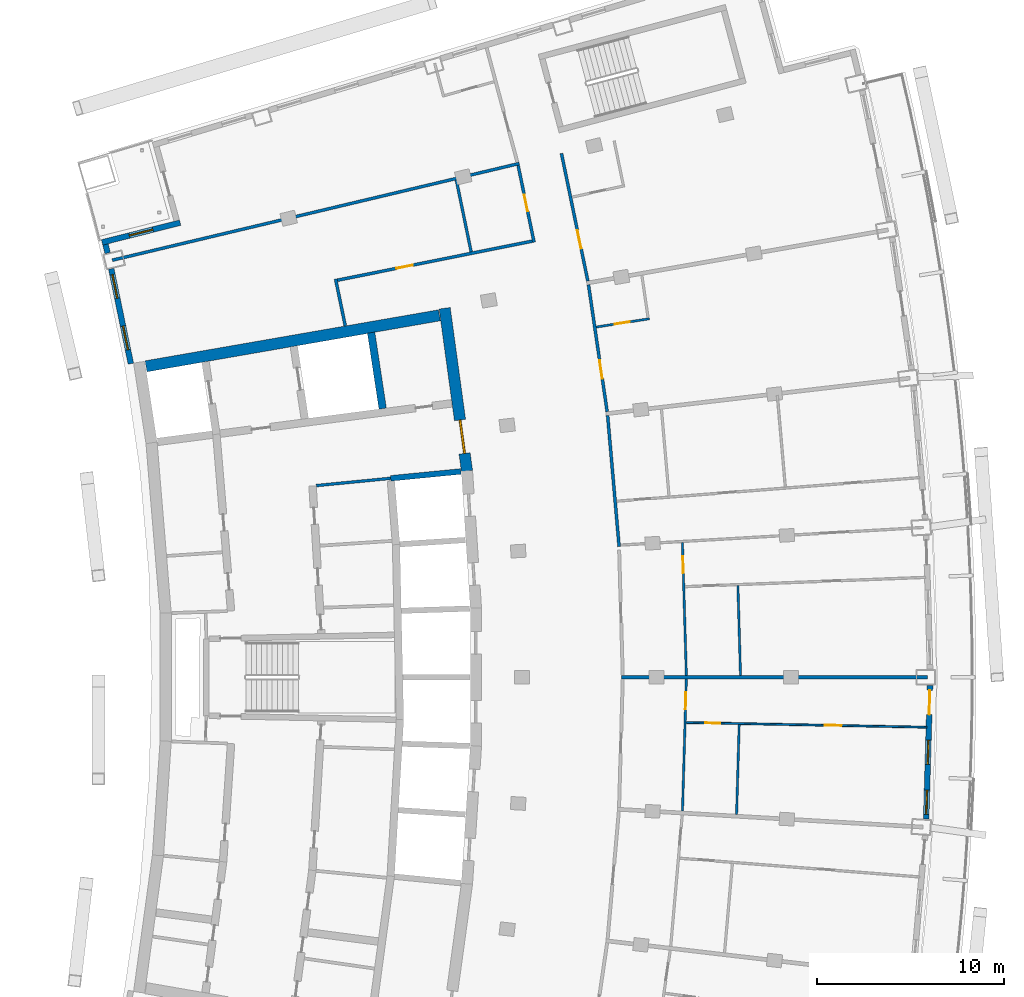
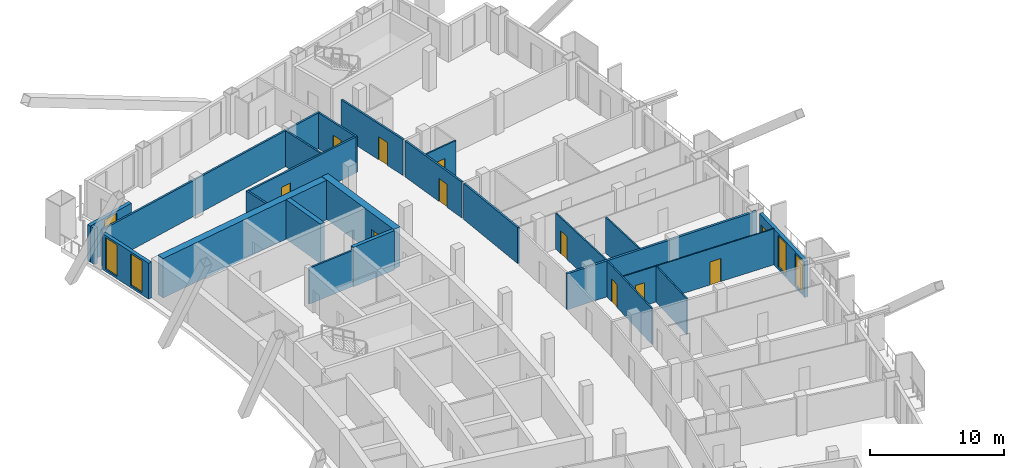
# One storey, part 13 of 19: 24 walls, 11 doors, 5 windows, 16 openings.
"""IFC4 building model written with IfcOpenShell, lengths in metres."""

import ifcopenshell
import ifcopenshell.guid

model = None  # the IFC model being written
_history = None  # IfcOwnerHistory: only IFC2X3 demands one
_inside = {}  # id of a spatial element -> (the spatial element, [elements in it])
_under = {}  # id of a project, library or spatial element -> (it, [spatial elements below it])
_declared = {}  # id of a project -> (the project, [libraries it declares])
_typed = {}  # id of a type object -> (the type object, [elements of that type])
_made_of = {}  # id of a material, layer set ... -> (it, [elements and type objects made of it])


def new_model(schema):
    """Start an empty IFC model of exactly this schema.

    Asked for "IFC4X3", IfcOpenShell would pick the latest addendum, in which some entities
    have other attributes; the version numbers below select the first issue.
    IFC2X3 requires an IfcOwnerHistory on every rooted entity: one is made here for all.
    """
    global model, _history
    if schema == "IFC4X3":
        model = ifcopenshell.file(schema_version=(4, 3, 0, 0))
    else:
        model = ifcopenshell.file(schema=schema)
    _inside.clear()
    _under.clear()
    _declared.clear()
    _typed.clear()
    _made_of.clear()
    _history = None
    if model.schema == "IFC2X3":
        org = make("IfcOrganization", Name="unknown")
        user = make(
            "IfcPersonAndOrganization",
            ThePerson=make("IfcPerson", FamilyName="unknown"),
            TheOrganization=org,
        )
        app = make(
            "IfcApplication",
            ApplicationDeveloper=org,
            Version="unknown",
            ApplicationFullName="unknown",
            ApplicationIdentifier="unknown",
        )
        _history = make(
            "IfcOwnerHistory",
            OwningUser=user,
            OwningApplication=app,
            ChangeAction="ADDED",
            CreationDate=0,
        )
    return model


def make(cls, **values):
    """One entity of the class cls with the attributes given. An attribute that is None is left unset."""
    return model.create_entity(
        cls, **{name: value for name, value in values.items() if value is not None}
    )


def rooted(cls, **values):
    """An entity with a GlobalId (a new one), such as an element, a storey or a relation."""
    return make(cls, GlobalId=ifcopenshell.guid.new(), OwnerHistory=_history, **values)


def si_unit(unit_type, name, prefix=None):
    """IfcSIUnit, for example si_unit("LENGTHUNIT", "METRE", prefix="MILLI")."""
    return make("IfcSIUnit", UnitType=unit_type, Prefix=prefix, Name=name)


def assignment(units):
    """IfcUnitAssignment: the units of a project."""
    return None if units is None else make("IfcUnitAssignment", Units=units)


def point(xyz):
    """IfcCartesianPoint."""
    return None if xyz is None else make("IfcCartesianPoint", Coordinates=xyz)


def direction(xyz):
    """IfcDirection."""
    return None if xyz is None else make("IfcDirection", DirectionRatios=xyz)


def frame(location, z_axis=None, x_axis=None):
    """IfcAxis2Placement3D, a coordinate frame: its origin and axes. An axis left out is left unset."""
    return make(
        "IfcAxis2Placement3D",
        Location=point(location),
        Axis=direction(z_axis),
        RefDirection=direction(x_axis),
    )


def frame_2d(location, x_axis=None):
    """IfcAxis2Placement2D, a coordinate frame in the plane: its origin and x axis."""
    return make(
        "IfcAxis2Placement2D", Location=point(location), RefDirection=direction(x_axis)
    )


def origin():
    """The frame at (0, 0, 0) with its axes left unset."""
    return frame((0.0, 0.0, 0.0))


def place(relative_to, where):
    """IfcLocalPlacement: puts the frame where relative to a parent placement (None: the world)."""
    return make(
        "IfcLocalPlacement", PlacementRelTo=relative_to, RelativePlacement=where
    )


def context(
    kind, dimensions, precision=None, world=None, true_north=None, identifier=None
):
    """IfcGeometricRepresentationContext, for example the 3D "Model" context."""
    return make(
        "IfcGeometricRepresentationContext",
        ContextIdentifier=identifier,
        ContextType=kind,
        CoordinateSpaceDimension=dimensions,
        Precision=precision,
        WorldCoordinateSystem=world,
        TrueNorth=true_north,
    )


def subcontext(parent, identifier, kind, view, scale=None):
    """IfcGeometricRepresentationSubContext, for example "Body" below "Model"."""
    return make(
        "IfcGeometricRepresentationSubContext",
        ContextIdentifier=identifier,
        ContextType=kind,
        ParentContext=parent,
        TargetScale=scale,
        TargetView=view,
    )


def project(units=None, contexts=None):
    """IfcProject with its units and contexts."""
    return rooted(
        "IfcProject",
        Name="project",
        RepresentationContexts=contexts,
        UnitsInContext=assignment(units),
    )


def spatial(cls, under=None, at=None, **own):
    """A site, building, storey or space (cls), placed at a placement, below another one or the project."""
    s = rooted(cls, ObjectPlacement=at, **own)
    if under is not None:
        _under.setdefault(under.id(), (under, []))[1].append(s)
    return s


def profile(cls, at=None, kind="AREA", **sizes):
    """A parametric profile (cls). Its sizes go by their IFC names, for example OverallWidth=200.0."""
    return make(cls, ProfileType=kind, Position=at, **sizes)


def rectangle(**sizes):
    """IfcRectangleProfileDef."""
    return profile("IfcRectangleProfileDef", **sizes)


def extrude(swept, where, along, depth):
    """IfcExtrudedAreaSolid: the profile swept, set in the frame where, extruded along a direction by depth."""
    return make(
        "IfcExtrudedAreaSolid",
        SweptArea=swept,
        Position=where,
        ExtrudedDirection=direction(along),
        Depth=depth,
    )


def shape(context_of_items, identifier, shape_type, items):
    """IfcShapeRepresentation: the items that make up one representation, for example the "Body"."""
    return make(
        "IfcShapeRepresentation",
        ContextOfItems=context_of_items,
        RepresentationIdentifier=identifier,
        RepresentationType=shape_type,
        Items=items,
    )


def material(Name=None, Category=None):
    """IfcMaterial."""
    return make("IfcMaterial", Name=Name, Category=Category)


def layer(
    of_material, thickness, ventilated=None, Name=None, Category=None, Priority=None
):
    """IfcMaterialLayer: one layer of a wall or slab, of a material (None: an air gap)."""
    return make(
        "IfcMaterialLayer",
        Material=of_material,
        LayerThickness=thickness,
        IsVentilated=ventilated,
        Name=Name,
        Category=Category,
        Priority=Priority,
    )


def layer_set(layers, Name=None):
    """IfcMaterialLayerSet."""
    return make("IfcMaterialLayerSet", MaterialLayers=layers, LayerSetName=Name)


def made_of(thing, what):
    """Note that an element or type object is made of a material, layer set ...; save() writes the relation."""
    if what is not None:
        _made_of.setdefault(what.id(), (what, []))[1].append(thing)
    return thing


def type_object(cls, material=None, **own):
    """A type object (cls), such as IfcWallType, which elements share."""
    return made_of(rooted(cls, **own), material)


def element(
    cls,
    number,
    at=None,
    inside=None,
    cuts=None,
    type_object=None,
    material=None,
    context=None,
    identifier="Body",
    shape_type=None,
    held_by="IfcProductDefinitionShape",
    body=None,
    shapes=None,
    **own,
):
    """One element of the class cls, such as IfcWall. Its Tag is "e" and its number.

    at: its placement. inside: the storey or other place that contains it. cuts: it is an
    opening in that element (IfcRelVoidsElement). A single representation is given by context,
    identifier, shape_type and body (its items); several are given by shapes. held_by: the class
    of the entity that holds the representations. save() writes the other relations.
    """
    e = rooted(cls, Tag="e%d" % number, ObjectPlacement=at, **own)
    if body is not None:
        shapes = [shape(context, identifier, shape_type, body)]
    if shapes is not None:
        e.Representation = make(held_by, Representations=shapes)
    if inside is not None:
        _inside.setdefault(inside.id(), (inside, []))[1].append(e)
    if cuts is not None:
        rooted(
            "IfcRelVoidsElement", RelatingBuildingElement=cuts, RelatedOpeningElement=e
        )
    if type_object is not None:
        _typed.setdefault(type_object.id(), (type_object, []))[1].append(e)
    return made_of(e, material)


def fill(opening, filler):
    """IfcRelFillsElement: the door or window that sits in an opening."""
    return rooted(
        "IfcRelFillsElement",
        RelatingOpeningElement=opening,
        RelatedBuildingElement=filler,
    )


def aggregate(whole, parts):
    """IfcRelAggregates: a whole, such as a stair, and the parts it consists of."""
    return rooted("IfcRelAggregates", RelatingObject=whole, RelatedObjects=parts)


def save(model, path):
    """Write the relations noted so far, then the file.

    IfcRelAggregates (storeys below a building ...), IfcRelContainedInSpatialStructure (elements
    in a storey), IfcRelDefinesByType, IfcRelAssociatesMaterial and IfcRelDeclares: one each for
    every whole, place, type object, material and project.
    """
    for whole, parts in _under.values():
        aggregate(whole, parts)
    for where, things in _inside.values():
        rooted(
            "IfcRelContainedInSpatialStructure",
            RelatedElements=things,
            RelatingStructure=where,
        )
    for kind, things in _typed.values():
        rooted("IfcRelDefinesByType", RelatedObjects=things, RelatingType=kind)
    for what, things in _made_of.values():
        rooted("IfcRelAssociatesMaterial", RelatedObjects=things, RelatingMaterial=what)
    for by, libraries in _declared.values():
        rooted("IfcRelDeclares", RelatingContext=by, RelatedDefinitions=libraries)
    model.write(path)


model = new_model("IFC4")

# Units and contexts
model_context = context("Model", 3, precision=1e-05, world=origin(), true_north=direction((0.0, 1.0)))
body_context = subcontext(model_context, "Body", "Model", "MODEL_VIEW")
ifc_project = project(units=[si_unit("LENGTHUNIT", "METRE"), si_unit("AREAUNIT", "SQUARE_METRE"), si_unit("VOLUMEUNIT", "CUBIC_METRE"), si_unit("PLANEANGLEUNIT", "RADIAN"), si_unit("MASSUNIT", "GRAM", prefix="KILO")], contexts=[model_context])

# Site, building, storey
site_placement = place(None, origin())
site = spatial("IfcSite", under=ifc_project, at=site_placement, CompositionType="ELEMENT")
building_placement = place(site_placement, origin())
building = spatial("IfcBuilding", under=site, at=building_placement, Name="Alderwake Tower", CompositionType="ELEMENT")
storey_placement = place(building_placement, frame((0.0, 0.0, 221.60009765625)))
storey = spatial("IfcBuildingStorey", under=building, at=storey_placement, Name="L55", CompositionType="ELEMENT", Elevation=221.60009765625)

# Wall
ifc_material_1 = material(Name="Gypsum shaft wall system, rated")
ifc_layer_1 = layer(ifc_material_1, 0.14990234375)
ifc_layer_set_1 = layer_set([ifc_layer_1], Name="Core room partition 150")
wall_type_1 = type_object("IfcWallType", Name="Core room partition 150", PredefinedType="PARTITIONING", material=ifc_layer_set_1)
wall_1_placement = place(storey_placement, frame((24.799560546875, 71.2548828125, 0.0), z_axis=(0.0, 0.0, 1.0), x_axis=(0.995250000627, 0.097352125046, 0.0)))
element("IfcWall", 1, at=wall_1_placement, inside=storey, type_object=wall_type_1, Name="CW/L55/PR+102_+86", PredefinedType="PARTITIONING", context=body_context, shape_type="SweptSolid", body=[
    extrude(rectangle(XDim=4.0, YDim=0.14990234375, at=frame_2d((2.0, 0.0))), origin(), (0.0, 0.0, 1.0), 3.27978515625),
])

# Wall, opening, door
ifc_material_2 = material(Name="Concrete C70/85", Category="concrete")
ifc_layer_2 = layer(ifc_material_2, 0.60009765625)
ifc_layer_set_2 = layer_set([ifc_layer_2], Name="Core wall outer 600 C70-85")
wall_type_2 = type_object("IfcWallType", Name="Core wall outer 600 C70-85", PredefinedType="SHEAR", material=ifc_layer_set_2)
wall_2_placement = place(storey_placement, frame((31.66796875, 80.743896484375, 0.0), z_axis=(0.0, 0.0, 1.0), x_axis=(0.135856583698, -0.990728514108, 0.0)))
wall_2 = element("IfcWall", 2, at=wall_2_placement, inside=storey, type_object=wall_type_2, Name="Core wall CW.014", PredefinedType="SHEAR", context=body_context, shape_type="SweptSolid", body=[
    extrude(rectangle(XDim=8.79296875, YDim=0.60009765625, at=frame_2d((4.396484375, 0.0))), origin(), (0.0, 0.0, 1.0), 3.599853515625),
])
opening_1_placement = place(wall_2_placement, frame((6.038818359375, 0.0, 0.0)))
opening_1 = element("IfcOpeningElement", 3, at=opening_1_placement, cuts=wall_2, Name="Opening C001", PredefinedType="OPENING", context=body_context, shape_type="SweptSolid", body=[
    extrude(rectangle(XDim=1.800048828125, YDim=2.10009765625, at=frame_2d((0.89990234375, 1.050048828125))), frame((0.0, 0.31005859375, 0.0), z_axis=(0.0, -1.0, 0.0), x_axis=(1.0, 0.0, 0.0)), (0.0, 0.0, 1.0), 0.6201171875),
])
ifc_material_3 = material(Name="Steel-framed fire door leaves", Category="steel")
door_type_1 = type_object("IfcDoorType", Name="Core double door 1800 fire-rated", OperationType="DOUBLE_DOOR_SINGLE_SWING", PredefinedType="DOOR", material=ifc_material_3)
door_1_placement = place(opening_1_placement, origin())
door_1 = element("IfcDoor", 4, at=door_1_placement, inside=storey, type_object=door_type_1, Name="Lobby double door", OperationType="DOUBLE_DOOR_SINGLE_SWING", OverallHeight=2.10009765625, OverallWidth=1.800048828125, PredefinedType="DOOR", context=body_context, shape_type="SweptSolid", body=[
    extrude(rectangle(XDim=1.800048828125, YDim=2.10009765625, at=frame_2d((0.89990234375, 1.050048828125))), frame((0.0, 0.050048828125, 0.0), z_axis=(0.0, -1.0, 0.0), x_axis=(1.0, 0.0, 0.0)), (0.0, 0.0, 1.0), 0.10009765625),
])
fill(opening_1, door_1)

# Walls
wall_3_placement = place(storey_placement, frame((15.68896484375, 77.6357421875, 0.0), z_axis=(0.0, 0.0, 1.0), x_axis=(0.985223223422, 0.17127521721, 0.0)))
element("IfcWall", 5, at=wall_3_placement, inside=storey, type_object=wall_type_2, Name="Core wall CW.055", PredefinedType="SHEAR", context=body_context, shape_type="SweptSolid", body=[
    extrude(rectangle(XDim=15.933349609375, YDim=0.60009765625, at=frame_2d((7.966796875, 0.0))), origin(), (0.0, 0.0, 1.0), 3.599853515625),
])
ifc_material_4 = material(Name="Concrete C70/85", Category="concrete")
ifc_layer_3 = layer(ifc_material_4, 0.300048828125)
ifc_layer_set_3 = layer_set([ifc_layer_3], Name="Core wall shaft 300 C70-85")
wall_type_3 = type_object("IfcWallType", Name="Core wall shaft 300 C70-85", PredefinedType="SHEAR", material=ifc_layer_set_3)
wall_4_placement = place(storey_placement, frame((28.780517578125, 71.644287109375, 0.0), z_axis=(0.0, 0.0, 1.0), x_axis=(0.995245280185, 0.097400370992, 0.0)))
element("IfcWall", 6, at=wall_4_placement, inside=storey, type_object=wall_type_3, Name="Core wall CW.049", PredefinedType="SHEAR", context=body_context, shape_type="SweptSolid", body=[
    extrude(rectangle(XDim=3.769775390625, YDim=0.300048828125, at=frame_2d((1.884765625, 0.0))), origin(), (0.0, 0.0, 1.0), 3.599853515625),
])
ifc_material_5 = material(Name="Concrete C70/85", Category="concrete")
ifc_layer_4 = layer(ifc_material_5, 0.39990234375)
ifc_layer_set_4 = layer_set([ifc_layer_4], Name="Core wall spine 400 C70-85")
wall_type_4 = type_object("IfcWallType", Name="Core wall spine 400 C70-85", PredefinedType="SHEAR", material=ifc_layer_set_4)
wall_5_placement = place(storey_placement, frame((28.350830078125, 75.373291015625, 0.0), z_axis=(0.0, 0.0, 1.0), x_axis=(-0.150143035921, 0.988664285167, 0.0)))
element("IfcWall", 7, at=wall_5_placement, inside=storey, type_object=wall_type_4, Name="Core wall CW.001", PredefinedType="SHEAR", context=body_context, shape_type="SweptSolid", body=[
    extrude(rectangle(XDim=4.1123046875, YDim=0.39990234375, at=frame_2d((2.05615234375, 0.0))), origin(), (0.0, 0.0, 1.0), 3.599853515625),
])
ifc_material_6 = material(Name="Gypsum board on metal studs, rated")
ifc_layer_5 = layer(ifc_material_6, 0.159912109375)
ifc_layer_set_5 = layer_set([ifc_layer_5], Name="Corridor wall 160")
wall_type_5 = type_object("IfcWallType", Name="Corridor wall 160", PredefinedType="PARTITIONING", material=ifc_layer_set_5)
wall_6_placement = place(storey_placement, frame((13.884033203125, 83.31298828125, 0.0), z_axis=(0.0, 0.0, 1.0), x_axis=(0.972893462073, 0.231253781493, 0.0)))
element("IfcWall", 8, at=wall_6_placement, inside=storey, type_object=wall_type_5, Name="WL/L55/W11", PredefinedType="PARTITIONING", context=body_context, shape_type="SweptSolid", body=[
    extrude(rectangle(XDim=22.38037109375, YDim=0.159912109375, at=frame_2d((11.190185546875, 0.0))), origin(), (0.0, 0.0, 1.0), 3.27978515625),
])
wall_7_placement = place(storey_placement, frame((25.831787109375, 82.305419921875, 0.0), z_axis=(0.0, 0.0, 1.0), x_axis=(0.202450797205, -0.979292435747, 0.0)))
element("IfcWall", 9, at=wall_7_placement, inside=storey, type_object=wall_type_5, Name="WL/L55/W14", PredefinedType="PARTITIONING", context=body_context, shape_type="SweptSolid", body=[
    extrude(rectangle(XDim=2.555419921875, YDim=0.159912109375, at=frame_2d((1.27783203125, 0.0))), origin(), (0.0, 0.0, 1.0), 3.27978515625),
])

# Wall, opening, door
wall_8_placement = place(storey_placement, frame((36.451416015625, 84.272705078125, 0.0), z_axis=(0.0, 0.0, 1.0), x_axis=(-0.20329833965, 0.979116839348, 0.0)))
wall_8 = element("IfcWall", 10, at=wall_8_placement, inside=storey, type_object=wall_type_5, Name="WL/L55/W19", PredefinedType="PARTITIONING", context=body_context, shape_type="SweptSolid", body=[
    extrude(rectangle(XDim=4.206787109375, YDim=0.159912109375, at=frame_2d((2.103515625, 0.0))), origin(), (0.0, 0.0, 1.0), 3.27978515625),
])
opening_2_placement = place(wall_8_placement, frame((1.69287109375, 0.0, 0.0)))
opening_2 = element("IfcOpeningElement", 11, at=opening_2_placement, cuts=wall_8, Name="Opening R16-SBN2", PredefinedType="OPENING", context=body_context, shape_type="SweptSolid", body=[
    extrude(rectangle(XDim=0.89990234375, YDim=2.10009765625, at=frame_2d((0.449951171875, 1.050048828125))), frame((0.0, 0.08984375, 0.0), z_axis=(0.0, -1.0, 0.0), x_axis=(1.0, 0.0, 0.0)), (0.0, 0.0, 1.0), 0.179931640625),
])
ifc_material_7 = material(Name="Painted timber leaf", Category="wood")
door_type_2 = type_object("IfcDoorType", Name="Room door 900", OperationType="SINGLE_SWING_LEFT", PredefinedType="DOOR", material=ifc_material_7)
door_2_placement = place(opening_2_placement, origin())
door_2 = element("IfcDoor", 12, at=door_2_placement, inside=storey, type_object=door_type_2, Name="DR/L55/SBN2", OperationType="SINGLE_SWING_LEFT", OverallHeight=2.10009765625, OverallWidth=0.89990234375, PredefinedType="DOOR", context=body_context, shape_type="SweptSolid", body=[
    extrude(rectangle(XDim=0.89990234375, YDim=2.10009765625, at=frame_2d((0.449951171875, 1.050048828125))), frame((0.0, 0.02490234375, 0.0), z_axis=(0.0, -1.0, 0.0), x_axis=(1.0, 0.0, 0.0)), (0.0, 0.0, 1.0), 0.050048828125),
])
fill(opening_2, door_2)

wall_9_placement = place(storey_placement, frame((25.926513671875, 82.24267578125, 0.0), z_axis=(0.0, 0.0, 1.0), x_axis=(0.98046310274, 0.196703086316, 0.0)))
wall_9 = element("IfcWall", 13, at=wall_9_placement, inside=storey, type_object=wall_type_5, Name="WL/L55/W21", PredefinedType="PARTITIONING", context=body_context, shape_type="SweptSolid", body=[
    extrude(rectangle(XDim=10.637939453125, YDim=0.159912109375, at=frame_2d((5.31884765625, 0.0))), origin(), (0.0, 0.0, 1.0), 3.27978515625),
])
opening_3_placement = place(wall_9_placement, frame((3.208984375, 0.0, 0.0)))
opening_3 = element("IfcOpeningElement", 14, at=opening_3_placement, cuts=wall_9, Name="Opening R16-SBN1", PredefinedType="OPENING", context=body_context, shape_type="SweptSolid", body=[
    extrude(rectangle(XDim=0.89990234375, YDim=2.10009765625, at=frame_2d((0.449951171875, 1.050048828125))), frame((0.0, 0.08984375, 0.0), z_axis=(0.0, -1.0, 0.0), x_axis=(1.0, 0.0, 0.0)), (0.0, 0.0, 1.0), 0.179931640625),
])
door_3_placement = place(opening_3_placement, origin())
door_3 = element("IfcDoor", 15, at=door_3_placement, inside=storey, type_object=door_type_2, Name="DR/L55/SBN1", OperationType="SINGLE_SWING_LEFT", OverallHeight=2.10009765625, OverallWidth=0.89990234375, PredefinedType="DOOR", context=body_context, shape_type="SweptSolid", body=[
    extrude(rectangle(XDim=0.89990234375, YDim=2.10009765625, at=frame_2d((0.449951171875, 1.050048828125))), frame((0.0, 0.02490234375, 0.0), z_axis=(0.0, -1.0, 0.0), x_axis=(1.0, 0.0, 0.0)), (0.0, 0.0, 1.0), 0.050048828125),
])
fill(opening_3, door_3)

wall_10_placement = place(storey_placement, frame((37.9169921875, 89.02490234375, 0.0), z_axis=(0.0, 0.0, 1.0), x_axis=(0.202416809878, -0.97929946139, 0.0)))
wall_10 = element("IfcWall", 16, at=wall_10_placement, inside=storey, type_object=wall_type_5, Name="WL/L55/W24", PredefinedType="PARTITIONING", context=body_context, shape_type="SweptSolid", body=[
    extrude(rectangle(XDim=6.97021484375, YDim=0.159912109375, at=frame_2d((3.485107421875, 0.0))), origin(), (0.0, 0.0, 1.0), 3.27978515625),
])
opening_4_placement = place(wall_10_placement, frame((4.187255859375, 0.0, 0.0)))
opening_4 = element("IfcOpeningElement", 17, at=opening_4_placement, cuts=wall_10, Name="Opening R16-U08.1", PredefinedType="OPENING", context=body_context, shape_type="SweptSolid", body=[
    extrude(rectangle(XDim=1.0, YDim=2.10009765625, at=frame_2d((0.5, 1.050048828125))), frame((0.0, 0.08984375, 0.0), z_axis=(0.0, -1.0, 0.0), x_axis=(1.0, 0.0, 0.0)), (0.0, 0.0, 1.0), 0.179931640625),
])
ifc_material_8 = material(Name="Solid timber leaf in steel frame", Category="steel")
door_type_3 = type_object("IfcDoorType", Name="Flat entrance door 1000 fire-rated", OperationType="SINGLE_SWING_LEFT", PredefinedType="DOOR", material=ifc_material_8)
door_4_placement = place(opening_4_placement, origin())
door_4 = element("IfcDoor", 18, at=door_4_placement, inside=storey, type_object=door_type_3, Name="DR/L55/U08.1", OperationType="SINGLE_SWING_LEFT", OverallHeight=2.10009765625, OverallWidth=1.0, PredefinedType="DOOR", context=body_context, shape_type="SweptSolid", body=[
    extrude(rectangle(XDim=1.0, YDim=2.10009765625, at=frame_2d((0.5, 1.050048828125))), frame((0.0, 0.02490234375, 0.0), z_axis=(0.0, -1.0, 0.0), x_axis=(1.0, 0.0, 0.0)), (0.0, 0.0, 1.0), 0.050048828125),
])
fill(opening_4, door_4)

wall_11_placement = place(storey_placement, frame((39.362548828125, 82.001953125, 0.0), z_axis=(0.0, 0.0, 1.0), x_axis=(0.145565626222, -0.98934859805, 0.0)))
wall_11 = element("IfcWall", 19, at=wall_11_placement, inside=storey, type_object=wall_type_5, Name="WL/L55/W26", PredefinedType="PARTITIONING", context=body_context, shape_type="SweptSolid", body=[
    extrude(rectangle(XDim=6.8681640625, YDim=0.159912109375, at=frame_2d((3.43408203125, 0.0))), origin(), (0.0, 0.0, 1.0), 3.27978515625),
])
opening_5_placement = place(wall_11_placement, frame((4.08544921875, 0.0, 0.0)))
opening_5 = element("IfcOpeningElement", 20, at=opening_5_placement, cuts=wall_11, Name="Opening R16-U07.1", PredefinedType="OPENING", context=body_context, shape_type="SweptSolid", body=[
    extrude(rectangle(XDim=1.0, YDim=2.10009765625, at=frame_2d((0.5, 1.050048828125))), frame((0.0, 0.08984375, 0.0), z_axis=(0.0, -1.0, 0.0), x_axis=(1.0, 0.0, 0.0)), (0.0, 0.0, 1.0), 0.179931640625),
])
door_5_placement = place(opening_5_placement, origin())
door_5 = element("IfcDoor", 21, at=door_5_placement, inside=storey, type_object=door_type_3, Name="DR/L55/U07.1", OperationType="SINGLE_SWING_LEFT", OverallHeight=2.10009765625, OverallWidth=1.0, PredefinedType="DOOR", context=body_context, shape_type="SweptSolid", body=[
    extrude(rectangle(XDim=1.0, YDim=2.10009765625, at=frame_2d((0.5, 1.050048828125))), frame((0.0, 0.02490234375, 0.0), z_axis=(0.0, -1.0, 0.0), x_axis=(1.0, 0.0, 0.0)), (0.0, 0.0, 1.0), 0.050048828125),
])
fill(opening_5, door_5)

# Wall
wall_12_placement = place(storey_placement, frame((41.001953125, 67.9873046875, 0.0), z_axis=(0.0, 0.0, 1.0), x_axis=(-0.087430787456, 0.996170596537, 0.0)))
element("IfcWall", 22, at=wall_12_placement, inside=storey, type_object=wall_type_5, Name="WL/L55/W28", PredefinedType="PARTITIONING", context=body_context, shape_type="SweptSolid", body=[
    extrude(rectangle(XDim=7.048095703125, YDim=0.159912109375, at=frame_2d((3.52392578125, 0.0))), origin(), (0.0, 0.0, 1.0), 3.27978515625),
])

# Wall, openings, door, windows
ifc_material_9 = material(Name="Precast concrete C50/60 spandrel panel", Category="concrete")
ifc_layer_6 = layer(ifc_material_9, 0.300048828125)
ifc_layer_set_6 = layer_set([ifc_layer_6], Name="External wall EW1 Precast concrete C50/60 spandrel")
wall_type_6 = type_object("IfcWallType", Name="External wall EW1 Precast concrete C50/60 spandrel", PredefinedType="SOLIDWALL", material=ifc_layer_set_6)
wall_13_placement = place(storey_placement, frame((57.428955078125, 53.422119140625, 0.0), z_axis=(0.0, 0.0, 1.0), x_axis=(0.029158685433, 0.999574795132, 0.0)))
wall_13 = element("IfcWall", 23, at=wall_13_placement, inside=storey, type_object=wall_type_6, Name="External wall 15", PredefinedType="SOLIDWALL", context=body_context, shape_type="SweptSolid", body=[
    extrude(rectangle(XDim=7.133544921875, YDim=0.300048828125, at=frame_2d((3.56689453125, 0.0))), origin(), (0.0, 0.0, 1.0), 3.27978515625),
])
opening_6_placement = place(wall_13_placement, frame((0.24560546875, 0.0, 0.199951171875)))
opening_6 = element("IfcOpeningElement", 24, at=opening_6_placement, cuts=wall_13, Name="Opening W1", PredefinedType="OPENING", context=body_context, shape_type="SweptSolid", body=[
    extrude(rectangle(XDim=1.300048828125, YDim=2.89990234375, at=frame_2d((0.64990234375, 1.449951171875))), frame((0.0, 0.159912109375, 0.0), z_axis=(0.0, -1.0, 0.0), x_axis=(1.0, 0.0, 0.0)), (0.0, 0.0, 1.0), 0.320068359375),
])
opening_7_placement = place(wall_13_placement, frame((2.916748046875, 0.0, 0.199951171875)))
opening_7 = element("IfcOpeningElement", 25, at=opening_7_placement, cuts=wall_13, Name="Opening W1", PredefinedType="OPENING", context=body_context, shape_type="SweptSolid", body=[
    extrude(rectangle(XDim=1.300048828125, YDim=2.89990234375, at=frame_2d((0.64990234375, 1.449951171875))), frame((0.0, 0.159912109375, 0.0), z_axis=(0.0, -1.0, 0.0), x_axis=(1.0, 0.0, 0.0)), (0.0, 0.0, 1.0), 0.320068359375),
])
opening_8_placement = place(wall_13_placement, frame((5.588134765625, 0.0, 0.0)))
opening_8 = element("IfcOpeningElement", 26, at=opening_8_placement, cuts=wall_13, Name="Opening D04", PredefinedType="OPENING", context=body_context, shape_type="SweptSolid", body=[
    extrude(rectangle(XDim=1.300048828125, YDim=2.39990234375, at=frame_2d((0.64990234375, 1.199951171875))), frame((0.0, 0.159912109375, 0.0), z_axis=(0.0, -1.0, 0.0), x_axis=(1.0, 0.0, 0.0)), (0.0, 0.0, 1.0), 0.320068359375),
])
ifc_material_10 = material(Name="Bronze tinted glass in aluminium frame", Category="aluminium")
door_type_4 = type_object("IfcDoorType", Name="Balcony door BD sliding", OperationType="SLIDING_TO_LEFT", PredefinedType="DOOR", material=ifc_material_10)
door_6_placement = place(opening_8_placement, origin())
door_6 = element("IfcDoor", 27, at=door_6_placement, inside=storey, type_object=door_type_4, Name="Door D04", OperationType="SLIDING_TO_LEFT", OverallHeight=2.39990234375, OverallWidth=1.300048828125, PredefinedType="DOOR", context=body_context, shape_type="SweptSolid", body=[
    extrude(rectangle(XDim=1.300048828125, YDim=2.39990234375, at=frame_2d((0.64990234375, 1.199951171875))), frame((0.0, 0.02490234375, 0.0), z_axis=(0.0, -1.0, 0.0), x_axis=(1.0, 0.0, 0.0)), (0.0, 0.0, 1.0), 0.050048828125),
])
fill(opening_8, door_6)
ifc_material_11 = material(Name="Bronze tinted glass in aluminium frame", Category="aluminium")
window_type = type_object("IfcWindowType", Name="Window W1 tall fixed and vent", PartitioningType="DOUBLE_PANEL_VERTICAL", PredefinedType="WINDOW", material=ifc_material_11)
window_1_placement = place(opening_6_placement, origin())
window_1 = element("IfcWindow", 28, at=window_1_placement, inside=storey, type_object=window_type, Name="Window W1 tall fixed and vent", OverallHeight=2.89990234375, OverallWidth=1.300048828125, PartitioningType="DOUBLE_PANEL_VERTICAL", PredefinedType="WINDOW", context=body_context, shape_type="SweptSolid", body=[
    extrude(rectangle(XDim=1.300048828125, YDim=2.89990234375, at=frame_2d((0.64990234375, 1.449951171875))), frame((0.0, 0.030029296875, 0.0), z_axis=(0.0, -1.0, 0.0), x_axis=(1.0, 0.0, 0.0)), (0.0, 0.0, 1.0), 0.06005859375),
])
fill(opening_6, window_1)
window_2_placement = place(opening_7_placement, origin())
window_2 = element("IfcWindow", 29, at=window_2_placement, inside=storey, type_object=window_type, Name="Window W1 tall fixed and vent", OverallHeight=2.89990234375, OverallWidth=1.300048828125, PartitioningType="DOUBLE_PANEL_VERTICAL", PredefinedType="WINDOW", context=body_context, shape_type="SweptSolid", body=[
    extrude(rectangle(XDim=1.300048828125, YDim=2.89990234375, at=frame_2d((0.64990234375, 1.449951171875))), frame((0.0, 0.030029296875, 0.0), z_axis=(0.0, -1.0, 0.0), x_axis=(1.0, 0.0, 0.0)), (0.0, 0.0, 1.0), 0.06005859375),
])
fill(opening_7, window_2)

# Wall
wall_14_placement = place(storey_placement, frame((13.523193359375, 84.1572265625, 0.0), z_axis=(0.0, 0.0, 1.0), x_axis=(0.238448700846, -0.971155094238, 0.0)))
element("IfcWall", 30, at=wall_14_placement, inside=storey, type_object=wall_type_6, Name="External wall 30", PredefinedType="SOLIDWALL", context=body_context, shape_type="SweptSolid", body=[
    extrude(rectangle(XDim=0.47802734375, YDim=0.300048828125, at=frame_2d((0.239013671875, 0.0))), origin(), (0.0, 0.0, 1.0), 3.27978515625),
])

# Wall, openings, windows
wall_15_placement = place(storey_placement, frame((13.826904296875, 82.8544921875, 0.0), z_axis=(0.0, 0.0, 1.0), x_axis=(0.202730149235, -0.979234643276, 0.0)))
wall_15 = element("IfcWall", 31, at=wall_15_placement, inside=storey, type_object=wall_type_6, Name="External wall 31", PredefinedType="SOLIDWALL", context=body_context, shape_type="SweptSolid", body=[
    extrude(rectangle(XDim=5.185546875, YDim=0.300048828125, at=frame_2d((2.5927734375, 0.0))), origin(), (0.0, 0.0, 1.0), 3.27978515625),
])
opening_9_placement = place(wall_15_placement, frame((0.316162109375, 0.0, 0.199951171875)))
opening_9 = element("IfcOpeningElement", 32, at=opening_9_placement, cuts=wall_15, Name="Opening W1", PredefinedType="OPENING", context=body_context, shape_type="SweptSolid", body=[
    extrude(rectangle(XDim=1.300048828125, YDim=2.89990234375, at=frame_2d((0.64990234375, 1.449951171875))), frame((0.0, 0.159912109375, 0.0), z_axis=(0.0, -1.0, 0.0), x_axis=(1.0, 0.0, 0.0)), (0.0, 0.0, 1.0), 0.320068359375),
])
opening_10_placement = place(wall_15_placement, frame((3.12890625, 0.0, 0.199951171875)))
opening_10 = element("IfcOpeningElement", 33, at=opening_10_placement, cuts=wall_15, Name="Opening W1", PredefinedType="OPENING", context=body_context, shape_type="SweptSolid", body=[
    extrude(rectangle(XDim=1.300048828125, YDim=2.89990234375, at=frame_2d((0.64990234375, 1.449951171875))), frame((0.0, 0.159912109375, 0.0), z_axis=(0.0, -1.0, 0.0), x_axis=(1.0, 0.0, 0.0)), (0.0, 0.0, 1.0), 0.320068359375),
])
window_3_placement = place(opening_9_placement, origin())
window_3 = element("IfcWindow", 34, at=window_3_placement, inside=storey, type_object=window_type, Name="Window W1 tall fixed and vent", OverallHeight=2.89990234375, OverallWidth=1.300048828125, PartitioningType="DOUBLE_PANEL_VERTICAL", PredefinedType="WINDOW", context=body_context, shape_type="SweptSolid", body=[
    extrude(rectangle(XDim=1.300048828125, YDim=2.89990234375, at=frame_2d((0.64990234375, 1.449951171875))), frame((0.0, 0.030029296875, 0.0), z_axis=(0.0, -1.0, 0.0), x_axis=(1.0, 0.0, 0.0)), (0.0, 0.0, 1.0), 0.06005859375),
])
fill(opening_9, window_3)
window_4_placement = place(opening_10_placement, origin())
window_4 = element("IfcWindow", 35, at=window_4_placement, inside=storey, type_object=window_type, Name="Window W1 tall fixed and vent", OverallHeight=2.89990234375, OverallWidth=1.300048828125, PartitioningType="DOUBLE_PANEL_VERTICAL", PredefinedType="WINDOW", context=body_context, shape_type="SweptSolid", body=[
    extrude(rectangle(XDim=1.300048828125, YDim=2.89990234375, at=frame_2d((0.64990234375, 1.449951171875))), frame((0.0, 0.030029296875, 0.0), z_axis=(0.0, -1.0, 0.0), x_axis=(1.0, 0.0, 0.0)), (0.0, 0.0, 1.0), 0.06005859375),
])
fill(opening_10, window_4)

# Wall, opening, window
ifc_material_12 = material(Name="Bronze metal cladding on lightweight framing")
ifc_layer_7 = layer(ifc_material_12, 0.300048828125)
ifc_layer_set_7 = layer_set([ifc_layer_7], Name="External wall EW2 bronze metal cladding")
wall_type_7 = type_object("IfcWallType", Name="External wall EW2 bronze metal cladding", PredefinedType="SOLIDWALL", material=ifc_layer_set_7)
wall_16_placement = place(storey_placement, frame((17.51611328125, 85.32275390625, 0.0), z_axis=(0.0, 0.0, 1.0), x_axis=(-0.969417740682, -0.245416470617, 0.0)))
wall_16 = element("IfcWall", 36, at=wall_16_placement, inside=storey, type_object=wall_type_7, Name="External wall 29", PredefinedType="SOLIDWALL", context=body_context, shape_type="SweptSolid", body=[
    extrude(rectangle(XDim=4.305419921875, YDim=0.300048828125, at=frame_2d((2.15283203125, 0.0))), origin(), (0.0, 0.0, 1.0), 3.27978515625),
])
opening_11_placement = place(wall_16_placement, frame((1.502685546875, 0.0, 0.199951171875)))
opening_11 = element("IfcOpeningElement", 37, at=opening_11_placement, cuts=wall_16, Name="Opening W1", PredefinedType="OPENING", context=body_context, shape_type="SweptSolid", body=[
    extrude(rectangle(XDim=1.300048828125, YDim=2.89990234375, at=frame_2d((0.64990234375, 1.449951171875))), frame((0.0, 0.159912109375, 0.0), z_axis=(0.0, -1.0, 0.0), x_axis=(1.0, 0.0, 0.0)), (0.0, 0.0, 1.0), 0.320068359375),
])
window_5_placement = place(opening_11_placement, origin())
window_5 = element("IfcWindow", 38, at=window_5_placement, inside=storey, type_object=window_type, Name="Window W1 tall fixed and vent", OverallHeight=2.89990234375, OverallWidth=1.300048828125, PartitioningType="DOUBLE_PANEL_VERTICAL", PredefinedType="WINDOW", context=body_context, shape_type="SweptSolid", body=[
    extrude(rectangle(XDim=1.300048828125, YDim=2.89990234375, at=frame_2d((0.64990234375, 1.449951171875))), frame((0.0, 0.030029296875, 0.0), z_axis=(0.0, -1.0, 0.0), x_axis=(1.0, 0.0, 0.0)), (0.0, 0.0, 1.0), 0.06005859375),
])
fill(opening_11, window_5)

# Walls
ifc_material_13 = material(Name="Dense block masonry wall", Category="masonry")
ifc_layer_8 = layer(ifc_material_13, 0.199951171875)
ifc_layer_set_8 = layer_set([ifc_layer_8], Name="Party wall 200")
wall_type_8 = type_object("IfcWallType", Name="Party wall 200", PredefinedType="SOLIDWALL", material=ifc_layer_set_8)
wall_17_placement = place(storey_placement, frame((57.5009765625, 60.9990234375, 0.0), z_axis=(0.0, 0.0, 1.0), x_axis=(-1.0, 0.0, 0.0)))
element("IfcWall", 39, at=wall_17_placement, inside=storey, type_object=wall_type_8, Name="WL/L55/W05", PredefinedType="SOLIDWALL", context=body_context, shape_type="SweptSolid", body=[
    extrude(rectangle(XDim=16.382080078125, YDim=0.199951171875, at=frame_2d((8.19091796875, 0.0))), origin(), (0.0, 0.0, 1.0), 3.27978515625),
])
ifc_material_14 = material(Name="Gypsum shaft wall system, rated")
ifc_layer_9 = layer(ifc_material_14, 0.14990234375)
ifc_layer_set_9 = layer_set([ifc_layer_9], Name="Riser and shaft wall 150")
wall_type_9 = type_object("IfcWallType", Name="Riser and shaft wall 150", PredefinedType="PARTITIONING", material=ifc_layer_set_9)
wall_18_placement = place(storey_placement, frame((33.085693359375, 83.76025390625, 0.0), z_axis=(0.0, 0.0, 1.0), x_axis=(-0.2025562632, 0.97927062666, 0.0)))
element("IfcWall", 40, at=wall_18_placement, inside=storey, type_object=wall_type_9, Name="WL/L55/W07", PredefinedType="PARTITIONING", context=body_context, shape_type="SweptSolid", body=[
    extrude(rectangle(XDim=3.9267578125, YDim=0.14990234375, at=frame_2d((1.96337890625, 0.0))), origin(), (0.0, 0.0, 1.0), 3.27978515625),
])

# Wall, openings, doors
ifc_material_15 = material(Name="Gypsum board on metal studs")
ifc_layer_10 = layer(ifc_material_15, 0.10009765625)
ifc_layer_set_10 = layer_set([ifc_layer_10], Name="Unit partition 100")
wall_type_10 = type_object("IfcWallType", Name="Unit partition 100", PredefinedType="PARTITIONING", material=ifc_layer_set_10)
wall_19_placement = place(storey_placement, frame((57.470947265625, 58.325927734375, 0.0), z_axis=(0.0, 0.0, 1.0), x_axis=(-0.999810260744, 0.019479284134, 0.0)))
wall_19 = element("IfcWall", 41, at=wall_19_placement, inside=storey, type_object=wall_type_10, Name="WL/L55/W53", PredefinedType="PARTITIONING", context=body_context, shape_type="SweptSolid", body=[
    extrude(rectangle(XDim=12.88427734375, YDim=0.10009765625, at=frame_2d((6.442138671875, 0.0))), origin(), (0.0, 0.0, 1.0), 3.27978515625),
])
opening_12_placement = place(wall_19_placement, frame((11.064697265625, 0.0, 0.0)))
opening_12 = element("IfcOpeningElement", 42, at=opening_12_placement, cuts=wall_19, Name="Opening R16-U05.3", PredefinedType="OPENING", context=body_context, shape_type="SweptSolid", body=[
    extrude(rectangle(XDim=0.800048828125, YDim=2.10009765625, at=frame_2d((0.39990234375, 1.050048828125))), frame((0.0, 0.06005859375, 0.0), z_axis=(0.0, -1.0, 0.0), x_axis=(1.0, 0.0, 0.0)), (0.0, 0.0, 1.0), 0.1201171875),
])
opening_13_placement = place(wall_19_placement, frame((4.57275390625, 0.0, 0.0)))
opening_13 = element("IfcOpeningElement", 43, at=opening_13_placement, cuts=wall_19, Name="Opening R16-U05.4", PredefinedType="OPENING", context=body_context, shape_type="SweptSolid", body=[
    extrude(rectangle(XDim=0.89990234375, YDim=2.10009765625, at=frame_2d((0.449951171875, 1.050048828125))), frame((0.0, 0.06005859375, 0.0), z_axis=(0.0, -1.0, 0.0), x_axis=(1.0, 0.0, 0.0)), (0.0, 0.0, 1.0), 0.1201171875),
])
ifc_material_16 = material(Name="Painted timber leaf", Category="wood")
door_type_5 = type_object("IfcDoorType", Name="Bathroom door 800", OperationType="SINGLE_SWING_LEFT", PredefinedType="DOOR", material=ifc_material_16)
door_7_placement = place(opening_12_placement, origin())
door_7 = element("IfcDoor", 44, at=door_7_placement, inside=storey, type_object=door_type_5, Name="DR/L55/U05.3", OperationType="SINGLE_SWING_LEFT", OverallHeight=2.10009765625, OverallWidth=0.800048828125, PredefinedType="DOOR", context=body_context, shape_type="SweptSolid", body=[
    extrude(rectangle(XDim=0.800048828125, YDim=2.10009765625, at=frame_2d((0.39990234375, 1.050048828125))), frame((0.0, 0.02490234375, 0.0), z_axis=(0.0, -1.0, 0.0), x_axis=(1.0, 0.0, 0.0)), (0.0, 0.0, 1.0), 0.050048828125),
])
fill(opening_12, door_7)
door_8_placement = place(opening_13_placement, origin())
door_8 = element("IfcDoor", 45, at=door_8_placement, inside=storey, type_object=door_type_2, Name="DR/L55/U05.4", OperationType="SINGLE_SWING_LEFT", OverallHeight=2.10009765625, OverallWidth=0.89990234375, PredefinedType="DOOR", context=body_context, shape_type="SweptSolid", body=[
    extrude(rectangle(XDim=0.89990234375, YDim=2.10009765625, at=frame_2d((0.449951171875, 1.050048828125))), frame((0.0, 0.02490234375, 0.0), z_axis=(0.0, -1.0, 0.0), x_axis=(1.0, 0.0, 0.0)), (0.0, 0.0, 1.0), 0.050048828125),
])
fill(opening_13, door_8)

# Wall, opening, door
ifc_material_17 = material(Name="Moisture resistant gypsum board on metal studs")
ifc_layer_11 = layer(ifc_material_17, 0.1201171875)
ifc_layer_set_11 = layer_set([ifc_layer_11], Name="Wet room partition 120")
wall_type_11 = type_object("IfcWallType", Name="Wet room partition 120", PredefinedType="PARTITIONING", material=ifc_layer_set_11)
wall_20_placement = place(storey_placement, frame((39.778076171875, 79.7373046875, 0.0), z_axis=(0.0, 0.0, 1.0), x_axis=(0.988012842758, 0.154371702541, 0.0)))
wall_20 = element("IfcWall", 46, at=wall_20_placement, inside=storey, type_object=wall_type_11, Name="WL/L55/W36", PredefinedType="PARTITIONING", context=body_context, shape_type="SweptSolid", body=[
    extrude(rectangle(XDim=2.876708984375, YDim=0.1201171875, at=frame_2d((1.4384765625, 0.0))), origin(), (0.0, 0.0, 1.0), 3.27978515625),
])
opening_14_placement = place(wall_20_placement, frame((1.0087890625, 0.0, 0.0)))
opening_14 = element("IfcOpeningElement", 47, at=opening_14_placement, cuts=wall_20, Name="Opening R16-U07.2", PredefinedType="OPENING", context=body_context, shape_type="SweptSolid", body=[
    extrude(rectangle(XDim=0.800048828125, YDim=2.10009765625, at=frame_2d((0.39990234375, 1.050048828125))), frame((0.0, 0.070068359375, 0.0), z_axis=(0.0, -1.0, 0.0), x_axis=(1.0, 0.0, 0.0)), (0.0, 0.0, 1.0), 0.14013671875),
])
door_9_placement = place(opening_14_placement, origin())
door_9 = element("IfcDoor", 48, at=door_9_placement, inside=storey, type_object=door_type_5, Name="DR/L55/U07.2", OperationType="SINGLE_SWING_LEFT", OverallHeight=2.10009765625, OverallWidth=0.800048828125, PredefinedType="DOOR", context=body_context, shape_type="SweptSolid", body=[
    extrude(rectangle(XDim=0.800048828125, YDim=2.10009765625, at=frame_2d((0.39990234375, 1.050048828125))), frame((0.0, 0.02490234375, 0.0), z_axis=(0.0, -1.0, 0.0), x_axis=(1.0, 0.0, 0.0)), (0.0, 0.0, 1.0), 0.050048828125),
])
fill(opening_14, door_9)

wall_21_placement = place(storey_placement, frame((44.59814453125, 60.89892578125, 0.0), z_axis=(0.0, 0.0, 1.0), x_axis=(-0.029334069975, -0.999569663575, 0.0)))
wall_21 = element("IfcWall", 49, at=wall_21_placement, inside=storey, type_object=wall_type_11, Name="WL/L55/W42", PredefinedType="PARTITIONING", context=body_context, shape_type="SweptSolid", body=[
    extrude(rectangle(XDim=7.06591796875, YDim=0.1201171875, at=frame_2d((3.532958984375, 0.0))), origin(), (0.0, 0.0, 1.0), 3.27978515625),
])
opening_15_placement = place(wall_21_placement, frame((0.710693359375, 0.0, 0.0)))
opening_15 = element("IfcOpeningElement", 50, at=opening_15_placement, cuts=wall_21, Name="Opening R16-U05.2", PredefinedType="OPENING", context=body_context, shape_type="SweptSolid", body=[
    extrude(rectangle(XDim=0.89990234375, YDim=2.10009765625, at=frame_2d((0.449951171875, 1.050048828125))), frame((0.0, 0.070068359375, 0.0), z_axis=(0.0, -1.0, 0.0), x_axis=(1.0, 0.0, 0.0)), (0.0, 0.0, 1.0), 0.14013671875),
])
door_10_placement = place(opening_15_placement, origin())
door_10 = element("IfcDoor", 51, at=door_10_placement, inside=storey, type_object=door_type_2, Name="DR/L55/U05.2", OperationType="SINGLE_SWING_LEFT", OverallHeight=2.10009765625, OverallWidth=0.89990234375, PredefinedType="DOOR", context=body_context, shape_type="SweptSolid", body=[
    extrude(rectangle(XDim=0.89990234375, YDim=2.10009765625, at=frame_2d((0.449951171875, 1.050048828125))), frame((0.0, 0.02490234375, 0.0), z_axis=(0.0, -1.0, 0.0), x_axis=(1.0, 0.0, 0.0)), (0.0, 0.0, 1.0), 0.050048828125),
])
fill(opening_15, door_10)

wall_22_placement = place(storey_placement, frame((44.389404296875, 68.215087890625, 0.0), z_axis=(0.0, 0.0, 1.0), x_axis=(0.029321452598, -0.999570033773, 0.0)))
wall_22 = element("IfcWall", 52, at=wall_22_placement, inside=storey, type_object=wall_type_11, Name="WL/L55/W43", PredefinedType="PARTITIONING", context=body_context, shape_type="SweptSolid", body=[
    extrude(rectangle(XDim=7.119140625, YDim=0.1201171875, at=frame_2d((3.5595703125, 0.0))), origin(), (0.0, 0.0, 1.0), 3.27978515625),
])
opening_16_placement = place(wall_22_placement, frame((0.736572265625, 0.0, 0.0)))
opening_16 = element("IfcOpeningElement", 53, at=opening_16_placement, cuts=wall_22, Name="Opening R16-U06.2", PredefinedType="OPENING", context=body_context, shape_type="SweptSolid", body=[
    extrude(rectangle(XDim=0.89990234375, YDim=2.10009765625, at=frame_2d((0.449951171875, 1.050048828125))), frame((0.0, 0.070068359375, 0.0), z_axis=(0.0, -1.0, 0.0), x_axis=(1.0, 0.0, 0.0)), (0.0, 0.0, 1.0), 0.14013671875),
])
door_11_placement = place(opening_16_placement, origin())
door_11 = element("IfcDoor", 54, at=door_11_placement, inside=storey, type_object=door_type_2, Name="DR/L55/U06.2", OperationType="SINGLE_SWING_LEFT", OverallHeight=2.10009765625, OverallWidth=0.89990234375, PredefinedType="DOOR", context=body_context, shape_type="SweptSolid", body=[
    extrude(rectangle(XDim=0.89990234375, YDim=2.10009765625, at=frame_2d((0.449951171875, 1.050048828125))), frame((0.0, 0.02490234375, 0.0), z_axis=(0.0, -1.0, 0.0), x_axis=(1.0, 0.0, 0.0)), (0.0, 0.0, 1.0), 0.050048828125),
])
fill(opening_16, door_11)

# Walls
wall_23_placement = place(storey_placement, frame((47.285888671875, 53.66796875, 0.0), z_axis=(0.0, 0.0, 1.0), x_axis=(0.029063100448, 0.999577578876, 0.0)))
element("IfcWall", 55, at=wall_23_placement, inside=storey, type_object=wall_type_11, Name="WL/L55/W46", PredefinedType="PARTITIONING", context=body_context, shape_type="SweptSolid", body=[
    extrude(rectangle(XDim=4.804931640625, YDim=0.1201171875, at=frame_2d((2.40234375, 0.0))), origin(), (0.0, 0.0, 1.0), 3.27978515625),
])
wall_24_placement = place(storey_placement, frame((47.49609375, 61.09912109375, 0.0), z_axis=(0.0, 0.0, 1.0), x_axis=(-0.029045398498, 0.99957809341, 0.0)))
element("IfcWall", 56, at=wall_24_placement, inside=storey, type_object=wall_type_11, Name="WL/L55/W47", PredefinedType="PARTITIONING", context=body_context, shape_type="SweptSolid", body=[
    extrude(rectangle(XDim=4.807861328125, YDim=0.1201171875, at=frame_2d((2.40380859375, 0.0))), origin(), (0.0, 0.0, 1.0), 3.27978515625),
])

save(model, "model.ifc")
